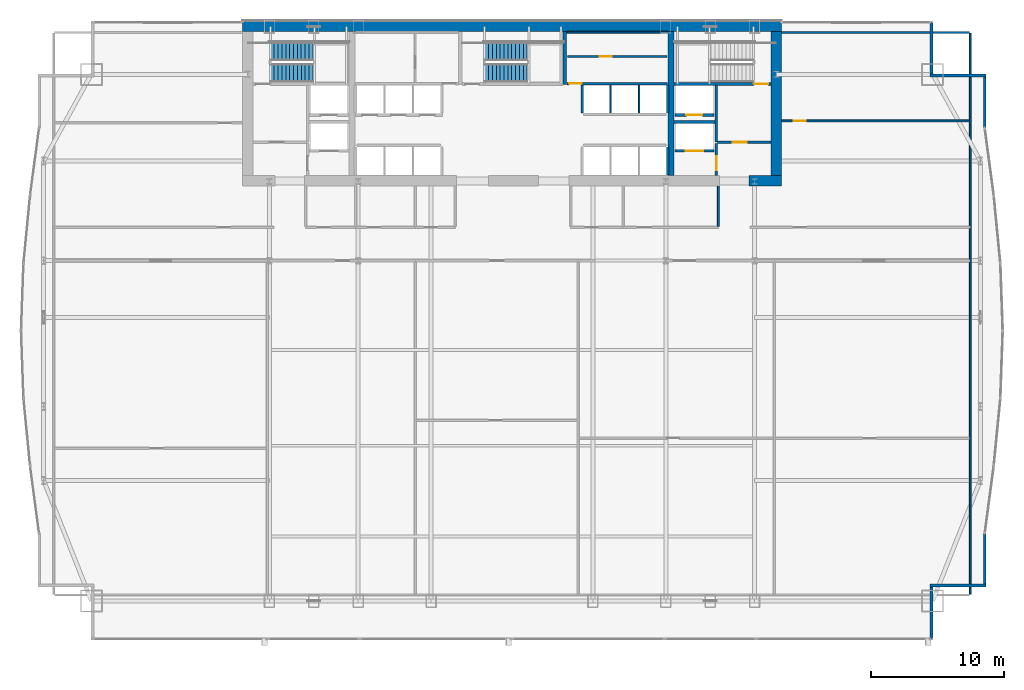
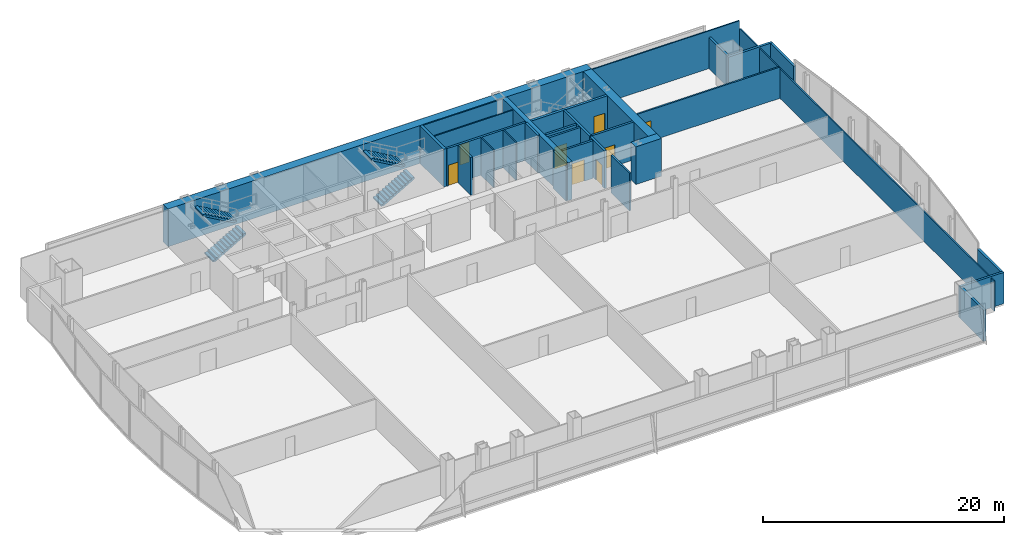
# One storey, part 31 of 35: 30 walls, 8 doors, 4 stair flights, 8 openings, 2 elements without a shape of their own.
"""IFC4 building model written with IfcOpenShell, lengths in metres."""

from ifc_helpers import new_model, si_unit, direction, frame, frame_2d, origin, place, context, subcontext, project, spatial, polyline, rectangle, outline, extrude, material, layer, layer_set, type_object, element, fill, aggregate, save


model = new_model("IFC4")

# Units and contexts
model_context = context("Model", 3, precision=1e-05, world=origin(), true_north=direction((0.0, 1.0)))
body_context = subcontext(model_context, "Body", "Model", "MODEL_VIEW")
ifc_project = project(units=[si_unit("LENGTHUNIT", "METRE"), si_unit("AREAUNIT", "SQUARE_METRE"), si_unit("VOLUMEUNIT", "CUBIC_METRE"), si_unit("PLANEANGLEUNIT", "RADIAN"), si_unit("MASSUNIT", "GRAM", prefix="KILO")], contexts=[model_context])

# Site, building, storey
site_placement = place(None, origin())
site = spatial("IfcSite", under=ifc_project, at=site_placement, CompositionType="ELEMENT")
building_placement = place(site_placement, origin())
building = spatial("IfcBuilding", under=site, at=building_placement, Name="Khoronbel Lancet Exchange", CompositionType="ELEMENT")
storey_placement = place(building_placement, frame((0.0, 0.0, 69.800048828125)))
storey = spatial("IfcBuildingStorey", under=building, at=storey_placement, Name="L16", CompositionType="ELEMENT", Elevation=69.800048828125)

# Walls
ifc_material_1 = material(Name="Concrete C80/95", Category="concrete")
ifc_layer_1 = layer(ifc_material_1, 0.800048828125, Name="Concrete C80/95")
ifc_layer_set_1 = layer_set([ifc_layer_1], Name="Concrete C80/95")
wall_type_1 = type_object("IfcWallType", Name="WL-CW1", PredefinedType="SHEAR", material=ifc_layer_set_1)
wall_1_placement = place(storey_placement, frame((16.199951171875, 53.300048828125, 0.0), z_axis=(0.0, 0.0, 1.0), x_axis=(1.0, 0.0, 0.0)))
element("IfcWall", 1, at=wall_1_placement, inside=storey, type_object=wall_type_1, Name="Level L16 rear core north shear wall", PredefinedType="SHEAR", context=body_context, shape_type="SweptSolid", body=[
    extrude(rectangle(XDim=40.5, YDim=0.800048828125, at=frame_2d((20.25, 0.0))), origin(), (0.0, 0.0, 1.0), 3.820068359375),
])
wall_2_placement = place(storey_placement, frame((56.300048828125, 52.89990234375, 0.0), z_axis=(0.0, 0.0, 1.0), x_axis=(0.0, -1.0, 0.0)))
element("IfcWall", 2, at=wall_2_placement, inside=storey, type_object=wall_type_1, Name="Level L16 rear core east shear wall", PredefinedType="SHEAR", context=body_context, shape_type="SweptSolid", body=[
    extrude(rectangle(XDim=10.7998046875, YDim=0.800048828125, at=frame_2d((5.39990234375, 0.0))), origin(), (0.0, 0.0, 1.0), 3.820068359375),
])
wall_3_placement = place(storey_placement, frame((56.699951171875, 41.699951171875, 0.0), z_axis=(0.0, 0.0, 1.0), x_axis=(-1.0, 0.0, 0.0)))
element("IfcWall", 3, at=wall_3_placement, inside=storey, type_object=wall_type_1, Name="Level L16 rear core south shear wall pier P5", PredefinedType="SHEAR", context=body_context, shape_type="SweptSolid", body=[
    extrude(rectangle(XDim=2.449951171875, YDim=0.800048828125, at=frame_2d((1.22509765625, 0.0))), origin(), (0.0, 0.0, 1.0), 3.820068359375),
])
ifc_material_2 = material(Name="Precast concrete C40/50", Category="concrete")
ifc_layer_2 = layer(ifc_material_2, 0.25, Name="Precast concrete C40/50")
ifc_layer_set_2 = layer_set([ifc_layer_2], Name="Precast concrete C40/50")
wall_type_2 = type_object("IfcWallType", Name="WL-EXT250", PredefinedType="SOLIDWALL", material=ifc_layer_set_2)
wall_4_placement = place(storey_placement, frame((67.9599609375, 53.6298828125, 0.0), z_axis=(0.0, 0.0, 1.0), x_axis=(0.0, -1.0, 0.0)))
element("IfcWall", 4, at=wall_4_placement, inside=storey, type_object=wall_type_2, Name="Level L16 notched-corner limestone pier 14", PredefinedType="SOLIDWALL", context=body_context, shape_type="SweptSolid", body=[
    extrude(rectangle(XDim=3.909912109375, YDim=0.219970703125, at=frame_2d((1.955078125, 0.0))), origin(), (0.0, 0.0, 1.0), 3.159912109375),
])
wall_5_placement = place(storey_placement, frame((67.85009765625, 49.610107421875, 0.0), z_axis=(0.0, 0.0, 1.0), x_axis=(1.0, 0.0, 0.0)))
element("IfcWall", 5, at=wall_5_placement, inside=storey, type_object=wall_type_2, Name="Level L16 notched-corner limestone pier 15", PredefinedType="SOLIDWALL", context=body_context, shape_type="SweptSolid", body=[
    extrude(rectangle(XDim=4.219970703125, YDim=0.219970703125, at=frame_2d((2.10986328125, 0.0))), origin(), (0.0, 0.0, 1.0), 3.159912109375),
])
wall_6_placement = place(storey_placement, frame((71.9599609375, 49.5, 0.0), z_axis=(0.0, 0.0, 1.0), x_axis=(0.0, -1.0, 0.0)))
element("IfcWall", 6, at=wall_6_placement, inside=storey, type_object=wall_type_2, Name="Level L16 notched-corner limestone pier 16", PredefinedType="SOLIDWALL", context=body_context, shape_type="SweptSolid", body=[
    extrude(rectangle(XDim=3.825927734375, YDim=0.219970703125, at=frame_2d((1.9130859375, 0.0))), origin(), (0.0, 0.0, 1.0), 3.159912109375),
])
wall_7_placement = place(storey_placement, frame((71.9599609375, 15.22607421875, 0.0), z_axis=(0.0, 0.0, 1.0), x_axis=(0.0, -1.0, 0.0)))
element("IfcWall", 7, at=wall_7_placement, inside=storey, type_object=wall_type_2, Name="Level L16 notched-corner limestone pier 23", PredefinedType="SOLIDWALL", context=body_context, shape_type="SweptSolid", body=[
    extrude(rectangle(XDim=3.826171875, YDim=0.219970703125, at=frame_2d((1.9130859375, 0.0))), origin(), (0.0, 0.0, 1.0), 3.159912109375),
])
wall_8_placement = place(storey_placement, frame((72.070068359375, 11.2900390625, 0.0), z_axis=(0.0, 0.0, 1.0), x_axis=(-1.0, 0.0, 0.0)))
element("IfcWall", 8, at=wall_8_placement, inside=storey, type_object=wall_type_2, Name="Level L16 notched-corner limestone pier 24", PredefinedType="SOLIDWALL", context=body_context, shape_type="SweptSolid", body=[
    extrude(rectangle(XDim=4.219970703125, YDim=0.219970703125, at=frame_2d((2.10986328125, 0.0))), origin(), (0.0, 0.0, 1.0), 3.159912109375),
])
wall_9_placement = place(storey_placement, frame((67.9599609375, 11.179931640625, 0.0), z_axis=(0.0, 0.0, 1.0), x_axis=(0.0, -1.0, 0.0)))
element("IfcWall", 9, at=wall_9_placement, inside=storey, type_object=wall_type_2, Name="Level L16 notched-corner limestone pier 25", PredefinedType="SOLIDWALL", context=body_context, shape_type="SweptSolid", body=[
    extrude(rectangle(XDim=3.909912109375, YDim=0.219970703125, at=frame_2d((1.955078125, 0.0))), origin(), (0.0, 0.0, 1.0), 3.159912109375),
])
ifc_material_3 = material(Name="Acoustic Metal-Stud & Mineral-Wool Gypsum Partition 120 mm", Category="gypsum")
ifc_layer_3 = layer(ifc_material_3, 0.1201171875, Name="Acoustic Metal-Stud & Mineral-Wool Gypsum Partition 120 mm")
ifc_layer_set_3 = layer_set([ifc_layer_3], Name="Acoustic Metal-Stud & Mineral-Wool Gypsum Partition 120 mm")
wall_type_3 = type_object("IfcWallType", Name="WL-PRT120", PredefinedType="PARTITIONING", material=ifc_layer_set_3)
wall_10_placement = place(storey_placement, frame((51.949951171875, 38.280029296875, 0.0), z_axis=(0.0, 0.0, 1.0), x_axis=(0.0, 1.0, 0.0)))
element("IfcWall", 10, at=wall_10_placement, inside=storey, type_object=wall_type_3, Name="Level L16 interior partition PW-NP-1", PredefinedType="PARTITIONING", context=body_context, shape_type="SweptSolid", body=[
    extrude(rectangle(XDim=3.02001953125, YDim=0.14990234375, at=frame_2d((1.510009765625, 0.0))), origin(), (0.0, 0.0, 1.0), 3.820068359375),
])

# Wall, opening, door
wall_11_placement = place(storey_placement, frame((56.699951171875, 46.199951171875, 0.0), z_axis=(0.0, 0.0, 1.0), x_axis=(1.0, 0.0, 0.0)))
wall_11 = element("IfcWall", 11, at=wall_11_placement, inside=storey, type_object=wall_type_3, Name="Level L16 interior partition PW-NE-H", PredefinedType="PARTITIONING", context=body_context, shape_type="SweptSolid", body=[
    extrude(rectangle(XDim=14.10498046875, YDim=0.14990234375, at=frame_2d((7.052490234375, 0.0))), origin(), (0.0, 0.0, 1.0), 3.159912109375),
])
opening_1_placement = place(wall_11_placement, frame((0.89990234375, 0.0, 0.0)))
opening_1 = element("IfcOpeningElement", 12, at=opening_1_placement, cuts=wall_11, Name="Opening D5", PredefinedType="OPENING", context=body_context, shape_type="SweptSolid", body=[
    extrude(rectangle(XDim=0.89990234375, YDim=2.050048828125, at=frame_2d((0.449951171875, 1.02490234375))), frame((0.0, 0.0849609375, 0.0), z_axis=(0.0, -1.0, 0.0), x_axis=(1.0, 0.0, 0.0)), (0.0, 0.0, 1.0), 0.169921875),
])
ifc_material_4 = material(Name="Acoustic Timber Pantry & Support Door", Category="wood")
door_type_1 = type_object("IfcDoorType", Name="DR-D5", OperationType="NOTDEFINED", PredefinedType="DOOR", material=ifc_material_4)
door_1_placement = place(opening_1_placement, origin())
door_1 = element("IfcDoor", 13, at=door_1_placement, inside=storey, type_object=door_type_1, Name="NE north room door L16-1", OperationType="SINGLE_SWING_LEFT", OverallHeight=2.050048828125, OverallWidth=0.89990234375, PredefinedType="DOOR", context=body_context, shape_type="SweptSolid", body=[
    extrude(rectangle(XDim=0.89990234375, YDim=2.050048828125, at=frame_2d((0.449951171875, 1.02490234375))), frame((0.0, 0.02490234375, 0.0), z_axis=(0.0, -1.0, 0.0), x_axis=(1.0, 0.0, 0.0)), (0.0, 0.0, 1.0), 0.050048828125),
])
fill(opening_1, door_1)

# Walls
wall_12_placement = place(storey_placement, frame((70.8701171875, 10.6650390625, 0.0), z_axis=(0.0, 0.0, 1.0), x_axis=(0.0, 1.0, 0.0)))
element("IfcWall", 14, at=wall_12_placement, inside=storey, type_object=wall_type_3, Name="Level L16 interior partition PW-LIN-E", PredefinedType="PARTITIONING", context=body_context, shape_type="SweptSolid", body=[
    extrude(rectangle(XDim=42.10986328125, YDim=0.1201171875, at=frame_2d((21.054931640625, 0.0))), origin(), (0.0, 0.0, 1.0), 3.010009765625),
])
wall_13_placement = place(storey_placement, frame((56.699951171875, 52.840087890625, 0.0), z_axis=(0.0, 0.0, 1.0), x_axis=(1.0, 0.0, 0.0)))
element("IfcWall", 15, at=wall_13_placement, inside=storey, type_object=wall_type_3, Name="Level L16 interior partition PW-LIN-NE", PredefinedType="PARTITIONING", context=body_context, shape_type="SweptSolid", body=[
    extrude(rectangle(XDim=14.10498046875, YDim=0.1201171875, at=frame_2d((7.052490234375, 0.0))), origin(), (0.0, 0.0, 1.0), 3.820068359375),
])
ifc_material_5 = material(Name="Fire-Rated Metal-Stud & Mineral-Wool Gypsum Partition 120 mm", Category="gypsum")
ifc_layer_4 = layer(ifc_material_5, 0.1201171875, Name="Fire-Rated Metal-Stud & Mineral-Wool Gypsum Partition 120 mm")
ifc_layer_set_4 = layer_set([ifc_layer_4], Name="Fire-Rated Metal-Stud & Mineral-Wool Gypsum Partition 120 mm")
wall_type_4 = type_object("IfcWallType", Name="WL-PRT120F", PredefinedType="PARTITIONING", material=ifc_layer_set_4)
for number, where, z_axis, x_axis, name in (
    (16, (43.860107421875, 46.804931640625, 0.0), (0.0, 0.0, 1.0), (0.0, 1.0, 0.0), "Level L16 interior partition CW-PH-D1"),
    (17, (46.0, 46.804931640625, 0.0), (0.0, 0.0, 1.0), (0.0, 1.0, 0.0), "Level L16 interior partition CW-PH-D2"),
):
    element("IfcWall", number, at=place(storey_placement, frame(where, z_axis=z_axis, x_axis=x_axis)), inside=storey, type_object=wall_type_4, Name=name, PredefinedType="PARTITIONING", context=body_context, shape_type="SweptSolid", body=[
        extrude(rectangle(XDim=2.090087890625, YDim=0.1201171875, at=frame_2d((1.044921875, 0.0))), origin(), (0.0, 0.0, 1.0), 3.820068359375),
    ])
wall_14_placement = place(storey_placement, frame((40.580078125, 52.860107421875, 0.0), z_axis=(0.0, 0.0, 1.0), x_axis=(1.0, 0.0, 0.0)))
element("IfcWall", 18, at=wall_14_placement, inside=storey, type_object=wall_type_4, Name="Level L16 interior partition CW-SUP-NE-N", PredefinedType="PARTITIONING", context=body_context, shape_type="SweptSolid", body=[
    extrude(rectangle(XDim=7.559814453125, YDim=0.1201171875, at=frame_2d((3.77978515625, 0.0))), origin(), (0.0, 0.0, 1.0), 3.820068359375),
])

# Wall, opening, door
wall_15_placement = place(storey_placement, frame((40.6298828125, 51.0400390625, 0.0), z_axis=(0.0, 0.0, 1.0), x_axis=(1.0, 0.0, 0.0)))
wall_15 = element("IfcWall", 19, at=wall_15_placement, inside=storey, type_object=wall_type_4, Name="Level L16 interior partition CW-SUP-NE-H", PredefinedType="PARTITIONING", context=body_context, shape_type="SweptSolid", body=[
    extrude(rectangle(XDim=7.460205078125, YDim=0.1201171875, at=frame_2d((3.72998046875, 0.0))), origin(), (0.0, 0.0, 1.0), 3.820068359375),
])
opening_2_placement = place(wall_15_placement, frame((2.39990234375, 0.0, 0.0)))
opening_2 = element("IfcOpeningElement", 20, at=opening_2_placement, cuts=wall_15, Name="Opening FD4", PredefinedType="OPENING", context=body_context, shape_type="SweptSolid", body=[
    extrude(rectangle(XDim=0.89990234375, YDim=2.050048828125, at=frame_2d((0.449951171875, 1.02490234375))), frame((0.0, 0.070068359375, 0.0), z_axis=(0.0, -1.0, 0.0), x_axis=(1.0, 0.0, 0.0)), (0.0, 0.0, 1.0), 0.14013671875),
])
ifc_material_6 = material(Name="Fire-Rated Steel Core Support Door Assembly", Category="steel")
door_type_2 = type_object("IfcDoorType", Name="DR-FD4", OperationType="NOTDEFINED", PredefinedType="DOOR", material=ifc_material_6)
door_2_placement = place(opening_2_placement, origin())
door_2 = element("IfcDoor", 21, at=door_2_placement, inside=storey, type_object=door_type_2, Name="Core NE north store door L16-1", OperationType="SINGLE_SWING_RIGHT", OverallHeight=2.050048828125, OverallWidth=0.89990234375, PredefinedType="DOOR", context=body_context, shape_type="SweptSolid", body=[
    extrude(rectangle(XDim=0.89990234375, YDim=2.050048828125, at=frame_2d((0.449951171875, 1.02490234375))), frame((0.0, 0.02490234375, 0.0), z_axis=(0.0, -1.0, 0.0), x_axis=(1.0, 0.0, 0.0)), (0.0, 0.0, 1.0), 0.050048828125),
])
fill(opening_2, door_2)

ifc_material_7 = material(Name="Autoclaved Aerated Concrete Blockwork 200 mm", Category="masonry")
ifc_layer_5 = layer(ifc_material_7, 0.199951171875, Name="Autoclaved Aerated Concrete Blockwork 200 mm")
ifc_layer_set_5 = layer_set([ifc_layer_5], Name="Autoclaved Aerated Concrete Blockwork 200 mm")
wall_type_5 = type_object("IfcWallType", Name="WL-PRT200", PredefinedType="PARTITIONING", material=ifc_layer_set_5)
wall_16_placement = place(storey_placement, frame((51.610107421875, 43.949951171875, 0.0), z_axis=(0.0, 0.0, 1.0), x_axis=(-1.0, 0.0, 0.0)))
wall_16 = element("IfcWall", 22, at=wall_16_placement, inside=storey, type_object=wall_type_5, Name="Level L16 elevator hoistway landing front wall SVLE", PredefinedType="PARTITIONING", context=body_context, shape_type="SweptSolid", body=[
    extrude(rectangle(XDim=2.920166015625, YDim=0.199951171875, at=frame_2d((1.4599609375, 0.0))), origin(), (0.0, 0.0, 1.0), 3.820068359375),
])
opening_3_placement = place(wall_16_placement, frame((0.81005859375, 0.0, 0.0)))
opening_3 = element("IfcOpeningElement", 23, at=opening_3_placement, cuts=wall_16, Name="Opening LD-SVL2", PredefinedType="OPENING", context=body_context, shape_type="SweptSolid", body=[
    extrude(rectangle(XDim=1.300048828125, YDim=2.179931640625, at=frame_2d((0.64990234375, 1.08984375))), frame((0.0, 0.10986328125, 0.0), z_axis=(0.0, -1.0, 0.0), x_axis=(1.0, 0.0, 0.0)), (0.0, 0.0, 1.0), 0.219970703125),
])
ifc_material_8 = material(Name="Heavy-Duty Bi-Parting Goods Lift Landing Door", Category="steel")
door_type_3 = type_object("IfcDoorType", Name="DR-LD-SVL", OperationType="NOTDEFINED", PredefinedType="DOOR", material=ifc_material_8)
door_3_placement = place(opening_3_placement, origin())
door_3 = element("IfcDoor", 24, at=door_3_placement, inside=storey, type_object=door_type_3, Name="Elevator landing sliding door LD-SVL2 L16", OperationType="SLIDING_TO_LEFT", OverallHeight=2.179931640625, OverallWidth=1.300048828125, PredefinedType="DOOR", context=body_context, shape_type="SweptSolid", body=[
    extrude(rectangle(XDim=1.300048828125, YDim=2.179931640625, at=frame_2d((0.64990234375, 1.08984375))), frame((0.0, 0.02490234375, 0.0), z_axis=(0.0, -1.0, 0.0), x_axis=(1.0, 0.0, 0.0)), (0.0, 0.0, 1.0), 0.050048828125),
])
fill(opening_3, door_3)

wall_17_placement = place(storey_placement, frame((51.610107421875, 46.64990234375, 0.0), z_axis=(0.0, 0.0, 1.0), x_axis=(-1.0, 0.0, 0.0)))
wall_17 = element("IfcWall", 25, at=wall_17_placement, inside=storey, type_object=wall_type_5, Name="Level L16 elevator hoistway landing front wall FFLE", PredefinedType="PARTITIONING", context=body_context, shape_type="SweptSolid", body=[
    extrude(rectangle(XDim=2.920166015625, YDim=0.199951171875, at=frame_2d((1.4599609375, 0.0))), origin(), (0.0, 0.0, 1.0), 3.820068359375),
])
opening_4_placement = place(wall_17_placement, frame((0.860107421875, 0.0, 0.0)))
opening_4 = element("IfcOpeningElement", 26, at=opening_4_placement, cuts=wall_17, Name="Opening LD-FFL2", PredefinedType="OPENING", context=body_context, shape_type="SweptSolid", body=[
    extrude(rectangle(XDim=1.199951171875, YDim=2.179931640625, at=frame_2d((0.60009765625, 1.08984375))), frame((0.0, 0.10986328125, 0.0), z_axis=(0.0, -1.0, 0.0), x_axis=(1.0, 0.0, 0.0)), (0.0, 0.0, 1.0), 0.219970703125),
])
ifc_material_9 = material(Name="Fire-Rated Stainless Bi-Parting Firefighting Lift Door", Category="steel")
door_type_4 = type_object("IfcDoorType", Name="DR-LD-FFL", OperationType="NOTDEFINED", PredefinedType="DOOR", material=ifc_material_9)
door_4_placement = place(opening_4_placement, origin())
door_4 = element("IfcDoor", 27, at=door_4_placement, inside=storey, type_object=door_type_4, Name="Elevator landing sliding door LD-FFL2 L16", OperationType="SLIDING_TO_LEFT", OverallHeight=2.179931640625, OverallWidth=1.199951171875, PredefinedType="DOOR", context=body_context, shape_type="SweptSolid", body=[
    extrude(rectangle(XDim=1.199951171875, YDim=2.179931640625, at=frame_2d((0.60009765625, 1.08984375))), frame((0.0, 0.02490234375, 0.0), z_axis=(0.0, -1.0, 0.0), x_axis=(1.0, 0.0, 0.0)), (0.0, 0.0, 1.0), 0.050048828125),
])
fill(opening_4, door_4)

# Wall
wall_18_placement = place(storey_placement, frame((51.800048828125, 44.60009765625, 0.0), z_axis=(0.0, 0.0, 1.0), x_axis=(0.0, 1.0, 0.0)))
element("IfcWall", 28, at=wall_18_placement, inside=storey, type_object=wall_type_5, Name="Level L16 interior partition CW-FFLE-W", PredefinedType="PARTITIONING", context=body_context, shape_type="SweptSolid", body=[
    extrude(rectangle(XDim=4.2998046875, YDim=0.199951171875, at=frame_2d((2.14990234375, 0.0))), origin(), (0.0, 0.0, 1.0), 3.820068359375),
])

# Wall, opening, door
wall_19_placement = place(storey_placement, frame((51.89990234375, 44.60009765625, 0.0), z_axis=(0.0, 0.0, 1.0), x_axis=(1.0, 0.0, 0.0)))
wall_19 = element("IfcWall", 29, at=wall_19_placement, inside=storey, type_object=wall_type_5, Name="Level L16 interior partition CW-FFLE-S", PredefinedType="PARTITIONING", context=body_context, shape_type="SweptSolid", body=[
    extrude(rectangle(XDim=4.0, YDim=0.199951171875, at=frame_2d((2.0, 0.0))), origin(), (0.0, 0.0, 1.0), 3.820068359375),
])
opening_5_placement = place(wall_19_placement, frame((1.14990234375, 0.0, 0.0)))
opening_5 = element("IfcOpeningElement", 30, at=opening_5_placement, cuts=wall_19, Name="Opening FD1", PredefinedType="OPENING", context=body_context, shape_type="SweptSolid", body=[
    extrude(rectangle(XDim=1.050048828125, YDim=2.14990234375, at=frame_2d((0.52490234375, 1.074951171875))), frame((0.0, 0.10986328125, 0.0), z_axis=(0.0, -1.0, 0.0), x_axis=(1.0, 0.0, 0.0)), (0.0, 0.0, 1.0), 0.219970703125),
])
ifc_material_10 = material(Name="Fire-Rated Painted Steel Door Assembly", Category="steel")
door_type_5 = type_object("IfcDoorType", Name="DR-FD1", OperationType="NOTDEFINED", PredefinedType="DOOR", material=ifc_material_10)
door_5_placement = place(opening_5_placement, origin())
door_5 = element("IfcDoor", 31, at=door_5_placement, inside=storey, type_object=door_type_5, Name="East firefighting lobby FD90S door L16-1", OperationType="SINGLE_SWING_LEFT", OverallHeight=2.14990234375, OverallWidth=1.050048828125, PredefinedType="DOOR", context=body_context, shape_type="SweptSolid", body=[
    extrude(rectangle(XDim=1.050048828125, YDim=2.14990234375, at=frame_2d((0.52490234375, 1.074951171875))), frame((0.0, 0.02490234375, 0.0), z_axis=(0.0, -1.0, 0.0), x_axis=(1.0, 0.0, 0.0)), (0.0, 0.0, 1.0), 0.050048828125),
])
fill(opening_5, door_5)

# Wall
wall_20_placement = place(storey_placement, frame((48.6298828125, 46.1201171875, 0.0), z_axis=(0.0, 0.0, 1.0), x_axis=(1.0, 0.0, 0.0)))
element("IfcWall", 32, at=wall_20_placement, inside=storey, type_object=wall_type_5, Name="Level L16 interior partition CW-FFL2-S", PredefinedType="PARTITIONING", context=body_context, shape_type="SweptSolid", body=[
    extrude(rectangle(XDim=3.070068359375, YDim=0.199951171875, at=frame_2d((1.53515625, 0.0))), origin(), (0.0, 0.0, 1.0), 3.820068359375),
])

# Wall, opening, door
wall_21_placement = place(storey_placement, frame((51.800048828125, 42.10009765625, 0.0), z_axis=(0.0, 0.0, 1.0), x_axis=(0.0, 1.0, 0.0)))
wall_21 = element("IfcWall", 33, at=wall_21_placement, inside=storey, type_object=wall_type_5, Name="Level L16 interior partition CW-SVLE-E", PredefinedType="PARTITIONING", context=body_context, shape_type="SweptSolid", body=[
    extrude(rectangle(XDim=2.39501953125, YDim=0.199951171875, at=frame_2d((1.197509765625, 0.0))), origin(), (0.0, 0.0, 1.0), 3.820068359375),
])
opening_6_placement = place(wall_21_placement, frame((0.3798828125, 0.0, 0.0)))
opening_6 = element("IfcOpeningElement", 34, at=opening_6_placement, cuts=wall_21, Name="Opening FD1", PredefinedType="OPENING", context=body_context, shape_type="SweptSolid", body=[
    extrude(rectangle(XDim=1.050048828125, YDim=2.14990234375, at=frame_2d((0.52490234375, 1.074951171875))), frame((0.0, 0.10986328125, 0.0), z_axis=(0.0, -1.0, 0.0), x_axis=(1.0, 0.0, 0.0)), (0.0, 0.0, 1.0), 0.219970703125),
])
door_6_placement = place(opening_6_placement, origin())
door_6 = element("IfcDoor", 35, at=door_6_placement, inside=storey, type_object=door_type_5, Name="East service lift lobby door L16-1", OperationType="SINGLE_SWING_RIGHT", OverallHeight=2.14990234375, OverallWidth=1.050048828125, PredefinedType="DOOR", context=body_context, shape_type="SweptSolid", body=[
    extrude(rectangle(XDim=1.050048828125, YDim=2.14990234375, at=frame_2d((0.52490234375, 1.074951171875))), frame((0.0, 0.02490234375, 0.0), z_axis=(0.0, -1.0, 0.0), x_axis=(1.0, 0.0, 0.0)), (0.0, 0.0, 1.0), 0.050048828125),
])
fill(opening_6, door_6)

# Walls
for number, where, z_axis, x_axis, name in (
    (36, (41.719970703125, 46.804931640625, 0.0), (0.0, 0.0, 1.0), (0.0, 1.0, 0.0), "Level L16 interior partition CW-PH-W"),
    (37, (48.139892578125, 46.804931640625, 0.0), (0.0, 0.0, 1.0), (0.0, 1.0, 0.0), "Level L16 interior partition CW-PH-E"),
):
    element("IfcWall", number, at=place(storey_placement, frame(where, z_axis=z_axis, x_axis=x_axis)), inside=storey, type_object=wall_type_5, Name=name, PredefinedType="PARTITIONING", context=body_context, shape_type="SweptSolid", body=[
        extrude(rectangle(XDim=2.090087890625, YDim=0.199951171875, at=frame_2d((1.044921875, 0.0))), origin(), (0.0, 0.0, 1.0), 3.820068359375),
    ])
wall_22_placement = place(storey_placement, frame((48.139892578125, 42.14990234375, 0.0), z_axis=(0.0, 0.0, 1.0), x_axis=(0.0, 1.0, 0.0)))
element("IfcWall", 38, at=wall_22_placement, inside=storey, type_object=wall_type_5, Name="Level L16 interior partition CW-PX-E", PredefinedType="PARTITIONING", context=body_context, shape_type="SweptSolid", body=[
    extrude(rectangle(XDim=2.09521484375, YDim=0.199951171875, at=frame_2d((1.047607421875, 0.0))), origin(), (0.0, 0.0, 1.0), 3.820068359375),
])

# Wall, opening, door
wall_23_placement = place(storey_placement, frame((40.580078125, 49.0, 0.0), z_axis=(0.0, 0.0, 1.0), x_axis=(1.0, 0.0, 0.0)))
wall_23 = element("IfcWall", 39, at=wall_23_placement, inside=storey, type_object=wall_type_5, Name="Level L16 interior partition CW-SUP-NE-S", PredefinedType="PARTITIONING", context=body_context, shape_type="SweptSolid", body=[
    extrude(rectangle(XDim=7.559814453125, YDim=0.199951171875, at=frame_2d((3.77978515625, 0.0))), origin(), (0.0, 0.0, 1.0), 3.820068359375),
])
opening_7_placement = place(wall_23_placement, frame((0.159912109375, 0.0, 0.0)))
opening_7 = element("IfcOpeningElement", 40, at=opening_7_placement, cuts=wall_23, Name="Opening FD3", PredefinedType="OPENING", context=body_context, shape_type="SweptSolid", body=[
    extrude(rectangle(XDim=0.949951171875, YDim=2.10009765625, at=frame_2d((0.47509765625, 1.050048828125))), frame((0.0, 0.10986328125, 0.0), z_axis=(0.0, -1.0, 0.0), x_axis=(1.0, 0.0, 0.0)), (0.0, 0.0, 1.0), 0.219970703125),
])
ifc_material_11 = material(Name="Fire-Rated Steel Plant & Riser Door Assembly", Category="steel")
door_type_6 = type_object("IfcDoorType", Name="DR-FD3", OperationType="NOTDEFINED", PredefinedType="DOOR", material=ifc_material_11)
door_7_placement = place(opening_7_placement, origin())
door_7 = element("IfcDoor", 41, at=door_7_placement, inside=storey, type_object=door_type_6, Name="Core NE support room door L16-1", OperationType="SINGLE_SWING_LEFT", OverallHeight=2.10009765625, OverallWidth=0.949951171875, PredefinedType="DOOR", context=body_context, shape_type="SweptSolid", body=[
    extrude(rectangle(XDim=0.949951171875, YDim=2.10009765625, at=frame_2d((0.47509765625, 1.050048828125))), frame((0.0, 0.02490234375, 0.0), z_axis=(0.0, -1.0, 0.0), x_axis=(1.0, 0.0, 0.0)), (0.0, 0.0, 1.0), 0.050048828125),
])
fill(opening_7, door_7)

# Walls
ifc_layer_6 = layer(ifc_material_1, 0.449951171875, Name="Concrete C80/95")
ifc_layer_set_6 = layer_set([ifc_layer_6], Name="Concrete C80/95")
wall_type_6 = type_object("IfcWallType", Name="WL-SW1", PredefinedType="SHEAR", material=ifc_layer_set_6)
wall_24_placement = place(storey_placement, frame((48.39990234375, 42.10009765625, 0.0), z_axis=(0.0, 0.0, 1.0), x_axis=(0.0, 1.0, 0.0)))
element("IfcWall", 42, at=wall_24_placement, inside=storey, type_object=wall_type_6, Name="Level L16 rear core internal spine shear wall IE", PredefinedType="SHEAR", context=body_context, shape_type="SweptSolid", body=[
    extrude(rectangle(XDim=10.7998046875, YDim=0.449951171875, at=frame_2d((5.39990234375, 0.0))), origin(), (0.0, 0.0, 1.0), 3.820068359375),
])
ifc_material_12 = material(Name="Concrete C60/75", Category="concrete")
ifc_layer_7 = layer(ifc_material_12, 0.260009765625, Name="Concrete C60/75")
ifc_layer_set_7 = layer_set([ifc_layer_7], Name="Concrete C60/75")
wall_type_7 = type_object("IfcWallType", Name="WL-SW3", PredefinedType="SHEAR", material=ifc_layer_set_7)
wall_25_placement = place(storey_placement, frame((40.419921875, 48.949951171875, 0.0), z_axis=(0.0, 0.0, 1.0), x_axis=(0.0, 1.0, 0.0)))
element("IfcWall", 43, at=wall_25_placement, inside=storey, type_object=wall_type_7, Name="Level L16 central stairwell structural shear wall ST3E", PredefinedType="SHEAR", context=body_context, shape_type="SweptSolid", body=[
    extrude(rectangle(XDim=3.949951171875, YDim=0.260009765625, at=frame_2d((1.97509765625, 0.0))), origin(), (0.0, 0.0, 1.0), 3.820068359375),
])

# Wall, opening, door
wall_26_placement = place(storey_placement, frame((48.6298828125, 48.97998046875, 0.0), z_axis=(0.0, 0.0, 1.0), x_axis=(1.0, 0.0, 0.0)))
wall_26 = element("IfcWall", 44, at=wall_26_placement, inside=storey, type_object=wall_type_7, Name="Level L16 east stairwell structural south wall", PredefinedType="SHEAR", context=body_context, shape_type="SweptSolid", body=[
    extrude(rectangle(XDim=7.27001953125, YDim=0.239990234375, at=frame_2d((3.635009765625, 0.0))), origin(), (0.0, 0.0, 1.0), 3.820068359375),
])
opening_8_placement = place(wall_26_placement, frame((6.0, 0.0, 0.0)))
opening_8 = element("IfcOpeningElement", 45, at=opening_8_placement, cuts=wall_26, Name="Opening SD1", PredefinedType="OPENING", context=body_context, shape_type="SweptSolid", body=[
    extrude(rectangle(XDim=1.050048828125, YDim=2.14990234375, at=frame_2d((0.52490234375, 1.074951171875))), frame((0.0, 0.1298828125, 0.0), z_axis=(0.0, -1.0, 0.0), x_axis=(1.0, 0.0, 0.0)), (0.0, 0.0, 1.0), 0.260009765625),
])
ifc_material_13 = material(Name="Fire-Rated Steel Stairwell Door Assembly", Category="steel")
door_type_7 = type_object("IfcDoorType", Name="DR-SD1", OperationType="NOTDEFINED", PredefinedType="DOOR", material=ifc_material_13)
door_8_placement = place(opening_8_placement, origin())
door_8 = element("IfcDoor", 46, at=door_8_placement, inside=storey, type_object=door_type_7, Name="Protected exit stair ST2 door L16", OperationType="SINGLE_SWING_RIGHT", OverallHeight=2.14990234375, OverallWidth=1.050048828125, PredefinedType="DOOR", context=body_context, shape_type="SweptSolid", body=[
    extrude(rectangle(XDim=1.050048828125, YDim=2.14990234375, at=frame_2d((0.52490234375, 1.074951171875))), frame((0.0, 0.02490234375, 0.0), z_axis=(0.0, -1.0, 0.0), x_axis=(1.0, 0.0, 0.0)), (0.0, 0.0, 1.0), 0.050048828125),
])
fill(opening_8, door_8)

# Stair, stair flights
ifc_material_14 = material(Name="Concrete C40/50", Category="concrete")
stair_type = type_object("IfcStairType", Name="STR-CORE150", PredefinedType="HALF_TURN_STAIR", material=ifc_material_14)
stair_1_placement = place(storey_placement, origin())
stair_1 = element("IfcStair", 47, at=stair_1_placement, inside=storey, type_object=stair_type, Name="L16 Protected Exit Stair ST1", PredefinedType="HALF_TURN_STAIR")
stair_flight_type = type_object("IfcStairFlightType", Name="STF-150", PredefinedType="STRAIGHT", material=ifc_material_14)
stair_flight_1_placement = place(storey_placement, frame((18.300048828125, 49.81005859375, 0.0), z_axis=(0.0, 0.0, 1.0), x_axis=(1.0, 0.0, 0.0)))
stair_flight_1 = element("IfcStairFlight", 48, at=stair_flight_1_placement, type_object=stair_flight_type, Name="ST1 flight 1", NumberOfRisers=12, NumberOfTreads=11, PredefinedType="STRAIGHT", RiserHeight=0.166666667, TreadLength=0.29, context=body_context, shape_type="SweptSolid", body=[
    extrude(outline(polyline([(0.0, 0.0), (0.0, 0.166748046875), (0.2900390625, 0.166748046875), (0.2900390625, 0.333251953125), (0.580078125, 0.333251953125), (0.580078125, 0.5), (0.8701171875, 0.5), (0.8701171875, 0.666748046875), (1.159912109375, 0.666748046875), (1.159912109375, 0.833251953125), (1.449951171875, 0.833251953125), (1.449951171875, 1.0), (1.739990234375, 1.0), (1.739990234375, 1.166748046875), (2.030029296875, 1.166748046875), (2.030029296875, 1.333251953125), (2.320068359375, 1.333251953125), (2.320068359375, 1.5), (2.610107421875, 1.5), (2.610107421875, 1.666748046875), (2.89990234375, 1.666748046875), (2.89990234375, 1.833251953125), (3.18994140625, 1.833251953125), (3.18994140625, 2.0), (3.18994140625, 1.660400390625), (0.30078125, 0.0), (0.0, 0.0)])), frame((0.0, 0.68994140625, 0.0), z_axis=(0.0, -1.0, 0.0), x_axis=(1.0, 0.0, 0.0)), (0.0, 0.0, 1.0), 1.3798828125),
])
stair_flight_2_placement = place(storey_placement, frame((21.489990234375, 51.409912109375, 2.0), z_axis=(0.0, 0.0, 1.0), x_axis=(-1.0, 0.0, 0.0)))
stair_flight_2 = element("IfcStairFlight", 49, at=stair_flight_2_placement, type_object=stair_flight_type, Name="ST1 flight 2", NumberOfRisers=12, NumberOfTreads=11, PredefinedType="STRAIGHT", RiserHeight=0.166666667, TreadLength=0.29, context=body_context, shape_type="SweptSolid", body=[
    extrude(outline(polyline([(0.0, 0.0), (0.0, 0.166748046875), (0.2900390625, 0.166748046875), (0.2900390625, 0.333251953125), (0.580078125, 0.333251953125), (0.580078125, 0.5), (0.8701171875, 0.5), (0.8701171875, 0.666748046875), (1.159912109375, 0.666748046875), (1.159912109375, 0.833251953125), (1.449951171875, 0.833251953125), (1.449951171875, 1.0), (1.739990234375, 1.0), (1.739990234375, 1.166748046875), (2.030029296875, 1.166748046875), (2.030029296875, 1.333251953125), (2.320068359375, 1.333251953125), (2.320068359375, 1.5), (2.610107421875, 1.5), (2.610107421875, 1.666748046875), (2.89990234375, 1.666748046875), (2.89990234375, 1.833251953125), (3.18994140625, 1.833251953125), (3.18994140625, 2.0), (3.18994140625, 1.660400390625), (0.30078125, 0.0), (0.0, 0.0)])), frame((0.0, 0.68994140625, 0.0), z_axis=(0.0, -1.0, 0.0), x_axis=(1.0, 0.0, 0.0)), (0.0, 0.0, 1.0), 1.3798828125),
])
aggregate(stair_1, [stair_flight_1, stair_flight_2])

stair_2_placement = place(storey_placement, origin())
stair_2 = element("IfcStair", 50, at=stair_2_placement, inside=storey, type_object=stair_type, Name="L16 Protected Exit Stair ST3", PredefinedType="HALF_TURN_STAIR")
stair_flight_3_placement = place(storey_placement, frame((34.39990234375, 49.81005859375, 0.0), z_axis=(0.0, 0.0, 1.0), x_axis=(1.0, 0.0, 0.0)))
stair_flight_3 = element("IfcStairFlight", 51, at=stair_flight_3_placement, type_object=stair_flight_type, Name="ST3 flight 1", NumberOfRisers=12, NumberOfTreads=11, PredefinedType="STRAIGHT", RiserHeight=0.166666667, TreadLength=0.29, context=body_context, shape_type="SweptSolid", body=[
    extrude(outline(polyline([(0.0, 0.0), (0.0, 0.166748046875), (0.2900390625, 0.166748046875), (0.2900390625, 0.333251953125), (0.580078125, 0.333251953125), (0.580078125, 0.5), (0.8701171875, 0.5), (0.8701171875, 0.666748046875), (1.159912109375, 0.666748046875), (1.159912109375, 0.833251953125), (1.449951171875, 0.833251953125), (1.449951171875, 1.0), (1.739990234375, 1.0), (1.739990234375, 1.166748046875), (2.030029296875, 1.166748046875), (2.030029296875, 1.333251953125), (2.320068359375, 1.333251953125), (2.320068359375, 1.5), (2.610107421875, 1.5), (2.610107421875, 1.666748046875), (2.89990234375, 1.666748046875), (2.89990234375, 1.833251953125), (3.18994140625, 1.833251953125), (3.18994140625, 2.0), (3.18994140625, 1.660400390625), (0.30078125, 0.0), (0.0, 0.0)])), frame((0.0, 0.68994140625, 0.0), z_axis=(0.0, -1.0, 0.0), x_axis=(1.0, 0.0, 0.0)), (0.0, 0.0, 1.0), 1.3798828125),
])
stair_flight_4_placement = place(storey_placement, frame((37.590087890625, 51.409912109375, 2.0), z_axis=(0.0, 0.0, 1.0), x_axis=(-1.0, 0.0, 0.0)))
stair_flight_4 = element("IfcStairFlight", 52, at=stair_flight_4_placement, type_object=stair_flight_type, Name="ST3 flight 2", NumberOfRisers=12, NumberOfTreads=11, PredefinedType="STRAIGHT", RiserHeight=0.166666667, TreadLength=0.29, context=body_context, shape_type="SweptSolid", body=[
    extrude(outline(polyline([(0.0, 0.0), (0.0, 0.166748046875), (0.2900390625, 0.166748046875), (0.2900390625, 0.333251953125), (0.580078125, 0.333251953125), (0.580078125, 0.5), (0.8701171875, 0.5), (0.8701171875, 0.666748046875), (1.159912109375, 0.666748046875), (1.159912109375, 0.833251953125), (1.449951171875, 0.833251953125), (1.449951171875, 1.0), (1.739990234375, 1.0), (1.739990234375, 1.166748046875), (2.030029296875, 1.166748046875), (2.030029296875, 1.333251953125), (2.320068359375, 1.333251953125), (2.320068359375, 1.5), (2.610107421875, 1.5), (2.610107421875, 1.666748046875), (2.89990234375, 1.666748046875), (2.89990234375, 1.833251953125), (3.18994140625, 1.833251953125), (3.18994140625, 2.0), (3.18994140625, 1.660400390625), (0.30078125, 0.0), (0.0, 0.0)])), frame((0.0, 0.68994140625, 0.0), z_axis=(0.0, -1.0, 0.0), x_axis=(1.0, 0.0, 0.0)), (0.0, 0.0, 1.0), 1.3798828125),
])
aggregate(stair_2, [stair_flight_3, stair_flight_4])

save(model, "model.ifc")
